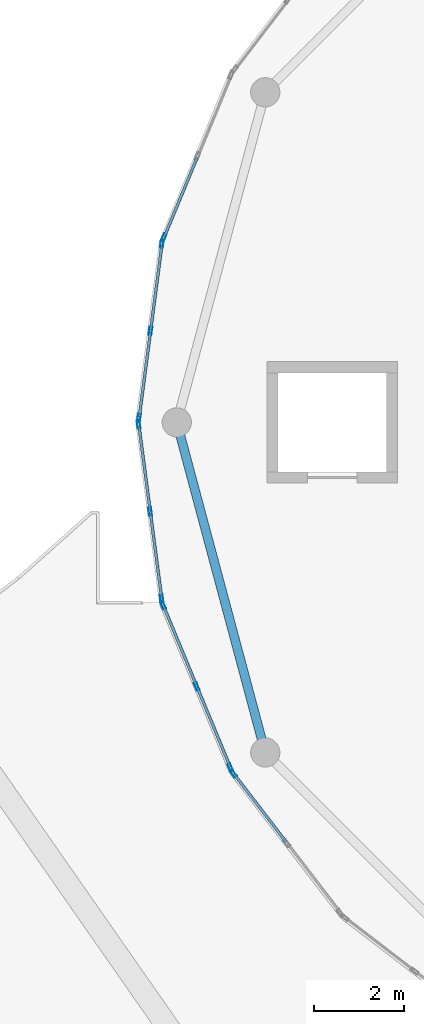
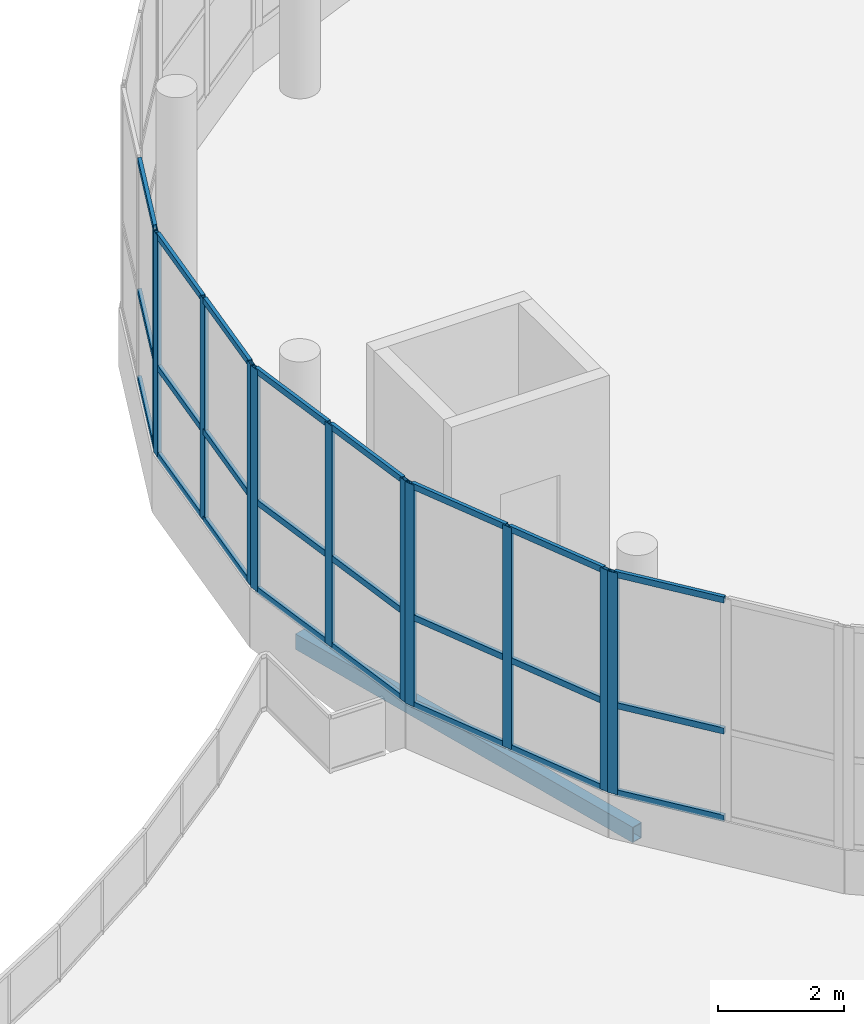
# One storey, part 9 of 101: 35 members, 1 beam, 5 elements without a shape of their own.
"""IFC4 building model written with IfcOpenShell, lengths in metres."""

from ifc_helpers import new_model, si_unit, direction, frame, origin, origin_2d, place, context, subcontext, project, spatial, hollow_rectangle, extrude, material, material_profile, profile_set, type_object, element, aggregate, save


model = new_model("IFC4")

# Units and contexts
model_context = context("Model", 3, precision=1e-05, world=origin(), true_north=direction((0.0, 1.0)))
body_context = subcontext(model_context, "Body", "Model", "MODEL_VIEW")
ifc_project = project(units=[si_unit("LENGTHUNIT", "METRE"), si_unit("AREAUNIT", "SQUARE_METRE"), si_unit("VOLUMEUNIT", "CUBIC_METRE"), si_unit("PLANEANGLEUNIT", "RADIAN"), si_unit("MASSUNIT", "GRAM", prefix="KILO")], contexts=[model_context])

# Site, building, storey
site_placement = place(None, origin())
site = spatial("IfcSite", under=ifc_project, at=site_placement, CompositionType="ELEMENT")
building_placement = place(site_placement, origin())
building = spatial("IfcBuilding", under=site, at=building_placement, Name="Selatvlak General Hospital", CompositionType="ELEMENT")
storey_placement = place(building_placement, frame((0.0, 0.0, 19.199951171875)))
storey = spatial("IfcBuildingStorey", under=building, at=storey_placement, Name="L04", CompositionType="ELEMENT", Elevation=19.199951171875)

# Beam
ifc_material_1 = material(Name="Steel S355", Category="steel")
ifc_material_profile_1 = material_profile(ifc_material_1, hollow_rectangle(XDim=0.199951171875, YDim=0.300048828125, WallThickness=0.011962890625, at=origin_2d()), Name="RHS 300x200x12")
ifc_profile_set_1 = profile_set([ifc_material_profile_1], Name="Steel S355")
beam_type = type_object("IfcBeamType", Name="BM-SP3", PredefinedType="SPANDREL", material=ifc_profile_set_1)
beam_placement = place(storey_placement, frame((83.35009765625, 54.0, -0.454833984375), z_axis=(0.25884068345, -0.965920028052, 0.0), x_axis=(0.965920028052, 0.25884068345, 0.0)))
element("IfcBeam", 1, at=beam_placement, inside=storey, type_object=beam_type, Name="Beam BMR-L04-1804", PredefinedType="SPANDREL", context=body_context, shape_type="SweptSolid", body=[
    extrude(hollow_rectangle(XDim=0.199951171875, YDim=0.300048828125, WallThickness=0.011962890625, at=origin_2d()), origin(), (0.0, 0.0, 1.0), 7.58349609375),
])

# Curtain wall, member
ifc_material_2 = material(Name="Solar-control Low-E double glazing", Category="glass")
curtain_wall_type_1 = type_object("IfcCurtainWallType", Name="CW-CW-05", PredefinedType="USERDEFINED", material=ifc_material_2)
curtain_wall_1_placement = place(storey_placement, origin())
curtain_wall_1 = element("IfcCurtainWall", 2, at=curtain_wall_1_placement, inside=storey, type_object=curtain_wall_type_1, Name="Glazed facade curtain wall CW-L04-0528", ObjectType="STICK GLAZING WALL", PredefinedType="USERDEFINED")
ifc_material_3 = material(Name="Dark anodised aluminium mullion", Category="aluminium")
ifc_material_profile_2 = material_profile(ifc_material_3, hollow_rectangle(XDim=0.06494140625, YDim=0.179931640625, WallThickness=0.00439453125, at=origin_2d()), Name="AL-MUL 65x180x4.5")
ifc_profile_set_2 = profile_set([ifc_material_profile_2], Name="Dark anodised aluminium mullion")
member_type_1 = type_object("IfcMemberType", Name="CWM-02", PredefinedType="MULLION", material=ifc_profile_set_2)
member_1_placement = place(storey_placement, frame((84.606689453125, 46.211181640625, 0.85009765625), z_axis=(0.0, 0.0, 1.0), x_axis=(-0.793232853917, -0.608918417743, 0.0)))
member_1 = element("IfcMember", 3, at=member_1_placement, type_object=member_type_1, Name="CW-05 mullion 3", PredefinedType="MULLION", context=body_context, shape_type="SweptSolid", body=[
    extrude(hollow_rectangle(XDim=0.06494140625, YDim=0.179931640625, WallThickness=0.00439453125, at=origin_2d()), origin(), (0.0, 0.0, 1.0), 4.300048828125),
])

# Curtain wall, members
curtain_wall_type_2 = type_object("IfcCurtainWallType", Name="CW-CW-04", PredefinedType="USERDEFINED", material=ifc_material_2)
curtain_wall_2_placement = place(storey_placement, origin())
curtain_wall_2 = element("IfcCurtainWall", 4, at=curtain_wall_2_placement, inside=storey, type_object=curtain_wall_type_2, Name="Glazed facade curtain wall CW-L04-0529", ObjectType="STICK GLAZING WALL", PredefinedType="USERDEFINED")
member_2_placement = place(storey_placement, frame((84.54052734375, 46.339111328125, 0.85009765625), z_axis=(0.0, 0.0, 1.0), x_axis=(-0.923850868847, -0.382752625243, 0.0)))
member_2 = element("IfcMember", 5, at=member_2_placement, type_object=member_type_1, Name="CW-04 mullion 1", PredefinedType="MULLION", context=body_context, shape_type="SweptSolid", body=[
    extrude(hollow_rectangle(XDim=0.06494140625, YDim=0.179931640625, WallThickness=0.00439453125, at=origin_2d()), origin(), (0.0, 0.0, 1.0), 4.300048828125),
])
member_3_placement = place(storey_placement, frame((83.7939453125, 48.14111328125, 0.85009765625), z_axis=(0.0, 0.0, 1.0), x_axis=(-0.923850868847, -0.382752625243, 0.0)))
member_3 = element("IfcMember", 6, at=member_3_placement, type_object=member_type_1, Name="CW-04 mullion 2", PredefinedType="MULLION", context=body_context, shape_type="SweptSolid", body=[
    extrude(hollow_rectangle(XDim=0.06494140625, YDim=0.179931640625, WallThickness=0.00439453125, at=origin_2d()), origin(), (0.0, 0.0, 1.0), 4.300048828125),
])
member_4_placement = place(storey_placement, frame((83.04736328125, 49.94287109375, 0.85009765625), z_axis=(0.0, 0.0, 1.0), x_axis=(-0.923850868847, -0.382752625243, 0.0)))
member_4 = element("IfcMember", 7, at=member_4_placement, type_object=member_type_1, Name="CW-04 mullion 3", PredefinedType="MULLION", context=body_context, shape_type="SweptSolid", body=[
    extrude(hollow_rectangle(XDim=0.06494140625, YDim=0.179931640625, WallThickness=0.00439453125, at=origin_2d()), origin(), (0.0, 0.0, 1.0), 4.300048828125),
])

curtain_wall_3_placement = place(storey_placement, origin())
curtain_wall_3 = element("IfcCurtainWall", 8, at=curtain_wall_3_placement, inside=storey, type_object=curtain_wall_type_1, Name="Glazed facade curtain wall CW-L04-0530", ObjectType="STICK GLAZING WALL", PredefinedType="USERDEFINED")
member_5_placement = place(storey_placement, frame((83.015869140625, 50.084228515625, 0.85009765625), z_axis=(0.0, 0.0, 1.0), x_axis=(-0.991433685916, -0.130611050186, 0.0)))
member_5 = element("IfcMember", 9, at=member_5_placement, type_object=member_type_1, Name="CW-05 mullion 1", PredefinedType="MULLION", context=body_context, shape_type="SweptSolid", body=[
    extrude(hollow_rectangle(XDim=0.06494140625, YDim=0.179931640625, WallThickness=0.00439453125, at=origin_2d()), origin(), (0.0, 0.0, 1.0), 4.300048828125),
])
member_6_placement = place(storey_placement, frame((82.760986328125, 52.01806640625, 0.85009765625), z_axis=(0.0, 0.0, 1.0), x_axis=(-0.991433685916, -0.130611050186, 0.0)))
member_6 = element("IfcMember", 10, at=member_6_placement, type_object=member_type_1, Name="CW-05 mullion 2", PredefinedType="MULLION", context=body_context, shape_type="SweptSolid", body=[
    extrude(hollow_rectangle(XDim=0.06494140625, YDim=0.179931640625, WallThickness=0.00439453125, at=origin_2d()), origin(), (0.0, 0.0, 1.0), 4.300048828125),
])
member_7_placement = place(storey_placement, frame((82.50634765625, 53.95166015625, 0.85009765625), z_axis=(0.0, 0.0, 1.0), x_axis=(-0.991433685916, -0.130611050186, 0.0)))
member_7 = element("IfcMember", 11, at=member_7_placement, type_object=member_type_1, Name="CW-05 mullion 3", PredefinedType="MULLION", context=body_context, shape_type="SweptSolid", body=[
    extrude(hollow_rectangle(XDim=0.06494140625, YDim=0.179931640625, WallThickness=0.00439453125, at=origin_2d()), origin(), (0.0, 0.0, 1.0), 4.300048828125),
])

curtain_wall_4_placement = place(storey_placement, origin())
curtain_wall_4 = element("IfcCurtainWall", 12, at=curtain_wall_4_placement, inside=storey, type_object=curtain_wall_type_2, Name="Glazed facade curtain wall CW-L04-0531", ObjectType="STICK GLAZING WALL", PredefinedType="USERDEFINED")
member_8_placement = place(storey_placement, frame((82.51318359375, 54.09619140625, 0.85009765625), z_axis=(0.0, 0.0, 1.0), x_axis=(-0.991466306804, 0.130363194467, 0.0)))
member_8 = element("IfcMember", 13, at=member_8_placement, type_object=member_type_1, Name="CW-04 mullion 1", PredefinedType="MULLION", context=body_context, shape_type="SweptSolid", body=[
    extrude(hollow_rectangle(XDim=0.06494140625, YDim=0.179931640625, WallThickness=0.00439453125, at=origin_2d()), origin(), (0.0, 0.0, 1.0), 4.300048828125),
])
member_9_placement = place(storey_placement, frame((82.767578125, 56.030029296875, 0.85009765625), z_axis=(0.0, 0.0, 1.0), x_axis=(-0.991466306804, 0.130363194467, 0.0)))
member_9 = element("IfcMember", 14, at=member_9_placement, type_object=member_type_1, Name="CW-04 mullion 2", PredefinedType="MULLION", context=body_context, shape_type="SweptSolid", body=[
    extrude(hollow_rectangle(XDim=0.06494140625, YDim=0.179931640625, WallThickness=0.00439453125, at=origin_2d()), origin(), (0.0, 0.0, 1.0), 4.300048828125),
])
member_10_placement = place(storey_placement, frame((83.021728515625, 57.9638671875, 0.85009765625), z_axis=(0.0, 0.0, 1.0), x_axis=(-0.991466306804, 0.130363194467, 0.0)))
member_10 = element("IfcMember", 15, at=member_10_placement, type_object=member_type_1, Name="CW-04 mullion 3", PredefinedType="MULLION", context=body_context, shape_type="SweptSolid", body=[
    extrude(hollow_rectangle(XDim=0.06494140625, YDim=0.179931640625, WallThickness=0.00439453125, at=origin_2d()), origin(), (0.0, 0.0, 1.0), 4.300048828125),
])

# Curtain wall, member
curtain_wall_5_placement = place(storey_placement, origin())
curtain_wall_5 = element("IfcCurtainWall", 16, at=curtain_wall_5_placement, inside=storey, type_object=curtain_wall_type_1, Name="Glazed facade curtain wall CW-L04-0532", ObjectType="STICK GLAZING WALL", PredefinedType="USERDEFINED")
member_11_placement = place(storey_placement, frame((83.0654296875, 58.10107421875, 0.85009765625), z_axis=(0.0, 0.0, 1.0), x_axis=(-0.92394001164, 0.382537390187, 0.0)))
member_11 = element("IfcMember", 17, at=member_11_placement, type_object=member_type_1, Name="CW-05 mullion 1", PredefinedType="MULLION", context=body_context, shape_type="SweptSolid", body=[
    extrude(hollow_rectangle(XDim=0.06494140625, YDim=0.179931640625, WallThickness=0.00439453125, at=origin_2d()), origin(), (0.0, 0.0, 1.0), 4.300048828125),
])

# Member
ifc_material_profile_3 = material_profile(ifc_material_3, hollow_rectangle(XDim=0.06494140625, YDim=0.1201171875, WallThickness=0.00390625, at=origin_2d()), Name="AL-TRN 65x120x4")
ifc_profile_set_3 = profile_set([ifc_material_profile_3], Name="Dark anodised aluminium mullion")
member_type_2 = type_object("IfcMemberType", Name="CWT-01", PredefinedType="USERDEFINED", material=ifc_profile_set_3)
member_12_placement = place(storey_placement, frame((85.774658203125, 44.689697265625, 0.882568359375), z_axis=(-0.608890787968, 0.793254062913, 0.0), x_axis=(-0.793254062913, -0.608890787968, 0.0)))
member_12 = element("IfcMember", 18, at=member_12_placement, type_object=member_type_2, Name="CW-05 transom 2.1", ObjectType="TRANSOM", PredefinedType="USERDEFINED", context=body_context, shape_type="SweptSolid", body=[
    extrude(hollow_rectangle(XDim=0.06494140625, YDim=0.1201171875, WallThickness=0.00390625, at=origin_2d()), origin(), (0.0, 0.0, 1.0), 1.8857421875),
])

member_13_placement = place(storey_placement, frame((85.774658203125, 44.689697265625, 2.574951171875), z_axis=(-0.608890787968, 0.793254062913, 0.0), x_axis=(-0.793254062913, -0.608890787968, 0.0)))
member_13 = element("IfcMember", 19, at=member_13_placement, type_object=member_type_2, Name="CW-05 transom 2.2", ObjectType="TRANSOM", PredefinedType="USERDEFINED", context=body_context, shape_type="SweptSolid", body=[
    extrude(hollow_rectangle(XDim=0.06494140625, YDim=0.1201171875, WallThickness=0.00390625, at=origin_2d()), origin(), (0.0, 0.0, 1.0), 1.8857421875),
])

member_14_placement = place(storey_placement, frame((85.774658203125, 44.689697265625, 5.117431640625), z_axis=(-0.608890787968, 0.793254062913, 0.0), x_axis=(-0.793254062913, -0.608890787968, 0.0)))
member_14 = element("IfcMember", 20, at=member_14_placement, type_object=member_type_2, Name="CW-05 transom 2.3", ObjectType="TRANSOM", PredefinedType="USERDEFINED", context=body_context, shape_type="SweptSolid", body=[
    extrude(hollow_rectangle(XDim=0.06494140625, YDim=0.1201171875, WallThickness=0.00390625, at=origin_2d()), origin(), (0.0, 0.0, 1.0), 1.8857421875),
])

aggregate(curtain_wall_1, [member_1, member_12, member_13, member_14])

member_15_placement = place(storey_placement, frame((84.528076171875, 46.369140625, 0.882568359375), z_axis=(-0.382748221623, 0.92385269326, 0.0), x_axis=(-0.92385269326, -0.382748221623, 0.0)))
member_15 = element("IfcMember", 21, at=member_15_placement, type_object=member_type_2, Name="CW-04 transom 1.1", ObjectType="TRANSOM", PredefinedType="USERDEFINED", context=body_context, shape_type="SweptSolid", body=[
    extrude(hollow_rectangle(XDim=0.06494140625, YDim=0.1201171875, WallThickness=0.00390625, at=origin_2d()), origin(), (0.0, 0.0, 1.0), 1.885498046875),
])

member_16_placement = place(storey_placement, frame((84.528076171875, 46.369140625, 2.574951171875), z_axis=(-0.382748221623, 0.92385269326, 0.0), x_axis=(-0.92385269326, -0.382748221623, 0.0)))
member_16 = element("IfcMember", 22, at=member_16_placement, type_object=member_type_2, Name="CW-04 transom 1.2", ObjectType="TRANSOM", PredefinedType="USERDEFINED", context=body_context, shape_type="SweptSolid", body=[
    extrude(hollow_rectangle(XDim=0.06494140625, YDim=0.1201171875, WallThickness=0.00390625, at=origin_2d()), origin(), (0.0, 0.0, 1.0), 1.885498046875),
])

member_17_placement = place(storey_placement, frame((84.528076171875, 46.369140625, 5.117431640625), z_axis=(-0.382748221623, 0.92385269326, 0.0), x_axis=(-0.92385269326, -0.382748221623, 0.0)))
member_17 = element("IfcMember", 23, at=member_17_placement, type_object=member_type_2, Name="CW-04 transom 1.3", ObjectType="TRANSOM", PredefinedType="USERDEFINED", context=body_context, shape_type="SweptSolid", body=[
    extrude(hollow_rectangle(XDim=0.06494140625, YDim=0.1201171875, WallThickness=0.00390625, at=origin_2d()), origin(), (0.0, 0.0, 1.0), 1.885498046875),
])

member_18_placement = place(storey_placement, frame((83.781494140625, 48.171142578125, 0.882568359375), z_axis=(-0.382794011782, 0.923833721264, 0.0), x_axis=(-0.923833721264, -0.382794011782, 0.0)))
member_18 = element("IfcMember", 24, at=member_18_placement, type_object=member_type_2, Name="CW-04 transom 2.1", ObjectType="TRANSOM", PredefinedType="USERDEFINED", context=body_context, shape_type="SweptSolid", body=[
    extrude(hollow_rectangle(XDim=0.06494140625, YDim=0.1201171875, WallThickness=0.00390625, at=origin_2d()), origin(), (0.0, 0.0, 1.0), 1.88525390625),
])

member_19_placement = place(storey_placement, frame((83.781494140625, 48.171142578125, 2.574951171875), z_axis=(-0.382794011782, 0.923833721264, 0.0), x_axis=(-0.923833721264, -0.382794011782, 0.0)))
member_19 = element("IfcMember", 25, at=member_19_placement, type_object=member_type_2, Name="CW-04 transom 2.2", ObjectType="TRANSOM", PredefinedType="USERDEFINED", context=body_context, shape_type="SweptSolid", body=[
    extrude(hollow_rectangle(XDim=0.06494140625, YDim=0.1201171875, WallThickness=0.00390625, at=origin_2d()), origin(), (0.0, 0.0, 1.0), 1.88525390625),
])

member_20_placement = place(storey_placement, frame((83.781494140625, 48.171142578125, 5.117431640625), z_axis=(-0.382794011782, 0.923833721264, 0.0), x_axis=(-0.923833721264, -0.382794011782, 0.0)))
member_20 = element("IfcMember", 26, at=member_20_placement, type_object=member_type_2, Name="CW-04 transom 2.3", ObjectType="TRANSOM", PredefinedType="USERDEFINED", context=body_context, shape_type="SweptSolid", body=[
    extrude(hollow_rectangle(XDim=0.06494140625, YDim=0.1201171875, WallThickness=0.00390625, at=origin_2d()), origin(), (0.0, 0.0, 1.0), 1.88525390625),
])

aggregate(curtain_wall_2, [member_2, member_3, member_4, member_15, member_16, member_17, member_18, member_19, member_20])

member_21_placement = place(storey_placement, frame((83.011474609375, 50.116455078125, 0.882568359375), z_axis=(-0.130645424996, 0.991429156787, 0.0), x_axis=(-0.991429156787, -0.130645424996, 0.0)))
member_21 = element("IfcMember", 27, at=member_21_placement, type_object=member_type_2, Name="CW-05 transom 1.1", ObjectType="TRANSOM", PredefinedType="USERDEFINED", context=body_context, shape_type="SweptSolid", body=[
    extrude(hollow_rectangle(XDim=0.06494140625, YDim=0.1201171875, WallThickness=0.00390625, at=origin_2d()), origin(), (0.0, 0.0, 1.0), 1.885498046875),
])

member_22_placement = place(storey_placement, frame((83.011474609375, 50.116455078125, 2.574951171875), z_axis=(-0.130645424996, 0.991429156787, 0.0), x_axis=(-0.991429156787, -0.130645424996, 0.0)))
member_22 = element("IfcMember", 28, at=member_22_placement, type_object=member_type_2, Name="CW-05 transom 1.2", ObjectType="TRANSOM", PredefinedType="USERDEFINED", context=body_context, shape_type="SweptSolid", body=[
    extrude(hollow_rectangle(XDim=0.06494140625, YDim=0.1201171875, WallThickness=0.00390625, at=origin_2d()), origin(), (0.0, 0.0, 1.0), 1.885498046875),
])

member_23_placement = place(storey_placement, frame((83.011474609375, 50.116455078125, 5.117431640625), z_axis=(-0.130645424996, 0.991429156787, 0.0), x_axis=(-0.991429156787, -0.130645424996, 0.0)))
member_23 = element("IfcMember", 29, at=member_23_placement, type_object=member_type_2, Name="CW-05 transom 1.3", ObjectType="TRANSOM", PredefinedType="USERDEFINED", context=body_context, shape_type="SweptSolid", body=[
    extrude(hollow_rectangle(XDim=0.06494140625, YDim=0.1201171875, WallThickness=0.00390625, at=origin_2d()), origin(), (0.0, 0.0, 1.0), 1.885498046875),
])

member_24_placement = place(storey_placement, frame((82.7568359375, 52.05029296875, 0.882568359375), z_axis=(-0.130645424996, 0.991429156787, 0.0), x_axis=(-0.991429156787, -0.130645424996, 0.0)))
member_24 = element("IfcMember", 30, at=member_24_placement, type_object=member_type_2, Name="CW-05 transom 2.1", ObjectType="TRANSOM", PredefinedType="USERDEFINED", context=body_context, shape_type="SweptSolid", body=[
    extrude(hollow_rectangle(XDim=0.06494140625, YDim=0.1201171875, WallThickness=0.00390625, at=origin_2d()), origin(), (0.0, 0.0, 1.0), 1.885498046875),
])

member_25_placement = place(storey_placement, frame((82.7568359375, 52.05029296875, 2.574951171875), z_axis=(-0.130645424996, 0.991429156787, 0.0), x_axis=(-0.991429156787, -0.130645424996, 0.0)))
member_25 = element("IfcMember", 31, at=member_25_placement, type_object=member_type_2, Name="CW-05 transom 2.2", ObjectType="TRANSOM", PredefinedType="USERDEFINED", context=body_context, shape_type="SweptSolid", body=[
    extrude(hollow_rectangle(XDim=0.06494140625, YDim=0.1201171875, WallThickness=0.00390625, at=origin_2d()), origin(), (0.0, 0.0, 1.0), 1.885498046875),
])

member_26_placement = place(storey_placement, frame((82.7568359375, 52.05029296875, 5.117431640625), z_axis=(-0.130645424996, 0.991429156787, 0.0), x_axis=(-0.991429156787, -0.130645424996, 0.0)))
member_26 = element("IfcMember", 32, at=member_26_placement, type_object=member_type_2, Name="CW-05 transom 2.3", ObjectType="TRANSOM", PredefinedType="USERDEFINED", context=body_context, shape_type="SweptSolid", body=[
    extrude(hollow_rectangle(XDim=0.06494140625, YDim=0.1201171875, WallThickness=0.00390625, at=origin_2d()), origin(), (0.0, 0.0, 1.0), 1.885498046875),
])

aggregate(curtain_wall_3, [member_5, member_6, member_7, member_21, member_22, member_23, member_24, member_25, member_26])

member_27_placement = place(storey_placement, frame((82.517578125, 54.12841796875, 0.882568359375), z_axis=(0.130263585634, 0.991479398807, 0.0), x_axis=(-0.991479398807, 0.130263585634, 0.0)))
member_27 = element("IfcMember", 33, at=member_27_placement, type_object=member_type_2, Name="CW-04 transom 1.1", ObjectType="TRANSOM", PredefinedType="USERDEFINED", context=body_context, shape_type="SweptSolid", body=[
    extrude(hollow_rectangle(XDim=0.06494140625, YDim=0.1201171875, WallThickness=0.00390625, at=origin_2d()), origin(), (0.0, 0.0, 1.0), 1.885498046875),
])

member_28_placement = place(storey_placement, frame((82.517578125, 54.12841796875, 2.574951171875), z_axis=(0.130263585634, 0.991479398807, 0.0), x_axis=(-0.991479398807, 0.130263585634, 0.0)))
member_28 = element("IfcMember", 34, at=member_28_placement, type_object=member_type_2, Name="CW-04 transom 1.2", ObjectType="TRANSOM", PredefinedType="USERDEFINED", context=body_context, shape_type="SweptSolid", body=[
    extrude(hollow_rectangle(XDim=0.06494140625, YDim=0.1201171875, WallThickness=0.00390625, at=origin_2d()), origin(), (0.0, 0.0, 1.0), 1.885498046875),
])

member_29_placement = place(storey_placement, frame((82.517578125, 54.12841796875, 5.117431640625), z_axis=(0.130263585634, 0.991479398807, 0.0), x_axis=(-0.991479398807, 0.130263585634, 0.0)))
member_29 = element("IfcMember", 35, at=member_29_placement, type_object=member_type_2, Name="CW-04 transom 1.3", ObjectType="TRANSOM", PredefinedType="USERDEFINED", context=body_context, shape_type="SweptSolid", body=[
    extrude(hollow_rectangle(XDim=0.06494140625, YDim=0.1201171875, WallThickness=0.00390625, at=origin_2d()), origin(), (0.0, 0.0, 1.0), 1.885498046875),
])

member_30_placement = place(storey_placement, frame((82.771728515625, 56.062255859375, 0.882568359375), z_axis=(0.13039087187, 0.991462667241, 0.0), x_axis=(-0.991462667241, 0.13039087187, 0.0)))
member_30 = element("IfcMember", 36, at=member_30_placement, type_object=member_type_2, Name="CW-04 transom 2.1", ObjectType="TRANSOM", PredefinedType="USERDEFINED", context=body_context, shape_type="SweptSolid", body=[
    extrude(hollow_rectangle(XDim=0.06494140625, YDim=0.1201171875, WallThickness=0.00390625, at=origin_2d()), origin(), (0.0, 0.0, 1.0), 1.885498046875),
])

member_31_placement = place(storey_placement, frame((82.771728515625, 56.062255859375, 2.574951171875), z_axis=(0.13039087187, 0.991462667241, 0.0), x_axis=(-0.991462667241, 0.13039087187, 0.0)))
member_31 = element("IfcMember", 37, at=member_31_placement, type_object=member_type_2, Name="CW-04 transom 2.2", ObjectType="TRANSOM", PredefinedType="USERDEFINED", context=body_context, shape_type="SweptSolid", body=[
    extrude(hollow_rectangle(XDim=0.06494140625, YDim=0.1201171875, WallThickness=0.00390625, at=origin_2d()), origin(), (0.0, 0.0, 1.0), 1.885498046875),
])

member_32_placement = place(storey_placement, frame((82.771728515625, 56.062255859375, 5.117431640625), z_axis=(0.13039087187, 0.991462667241, 0.0), x_axis=(-0.991462667241, 0.13039087187, 0.0)))
member_32 = element("IfcMember", 38, at=member_32_placement, type_object=member_type_2, Name="CW-04 transom 2.3", ObjectType="TRANSOM", PredefinedType="USERDEFINED", context=body_context, shape_type="SweptSolid", body=[
    extrude(hollow_rectangle(XDim=0.06494140625, YDim=0.1201171875, WallThickness=0.00390625, at=origin_2d()), origin(), (0.0, 0.0, 1.0), 1.885498046875),
])

aggregate(curtain_wall_4, [member_8, member_9, member_10, member_27, member_28, member_29, member_30, member_31, member_32])

member_33_placement = place(storey_placement, frame((83.077880859375, 58.131103515625, 0.882568359375), z_axis=(0.382527162335, 0.923944246195, 0.0), x_axis=(-0.923944246195, 0.382527162335, 0.0)))
member_33 = element("IfcMember", 39, at=member_33_placement, type_object=member_type_2, Name="CW-05 transom 1.1", ObjectType="TRANSOM", PredefinedType="USERDEFINED", context=body_context, shape_type="SweptSolid", body=[
    extrude(hollow_rectangle(XDim=0.06494140625, YDim=0.1201171875, WallThickness=0.00390625, at=origin_2d()), origin(), (0.0, 0.0, 1.0), 1.88525390625),
])

member_34_placement = place(storey_placement, frame((83.077880859375, 58.131103515625, 2.574951171875), z_axis=(0.382527162335, 0.923944246195, 0.0), x_axis=(-0.923944246195, 0.382527162335, 0.0)))
member_34 = element("IfcMember", 40, at=member_34_placement, type_object=member_type_2, Name="CW-05 transom 1.2", ObjectType="TRANSOM", PredefinedType="USERDEFINED", context=body_context, shape_type="SweptSolid", body=[
    extrude(hollow_rectangle(XDim=0.06494140625, YDim=0.1201171875, WallThickness=0.00390625, at=origin_2d()), origin(), (0.0, 0.0, 1.0), 1.88525390625),
])

member_35_placement = place(storey_placement, frame((83.077880859375, 58.131103515625, 5.117431640625), z_axis=(0.382527162335, 0.923944246195, 0.0), x_axis=(-0.923944246195, 0.382527162335, 0.0)))
member_35 = element("IfcMember", 41, at=member_35_placement, type_object=member_type_2, Name="CW-05 transom 1.3", ObjectType="TRANSOM", PredefinedType="USERDEFINED", context=body_context, shape_type="SweptSolid", body=[
    extrude(hollow_rectangle(XDim=0.06494140625, YDim=0.1201171875, WallThickness=0.00390625, at=origin_2d()), origin(), (0.0, 0.0, 1.0), 1.88525390625),
])

aggregate(curtain_wall_5, [member_11, member_33, member_34, member_35])

save(model, "model.ifc")
